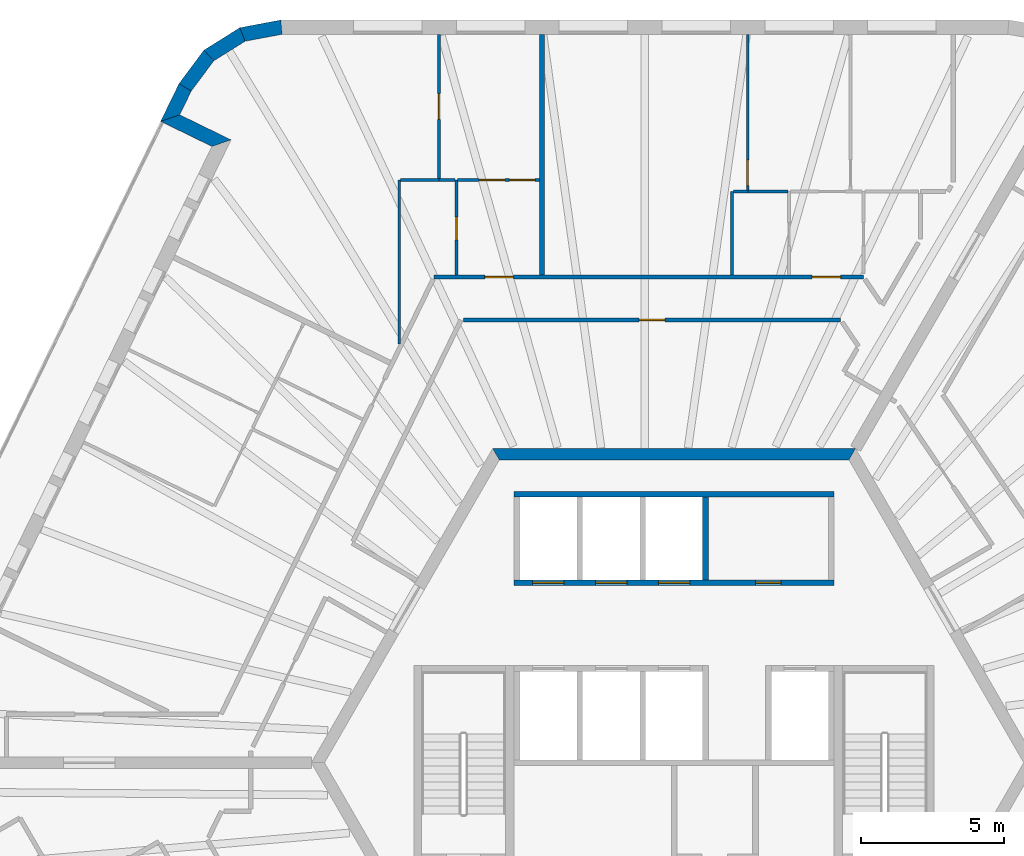
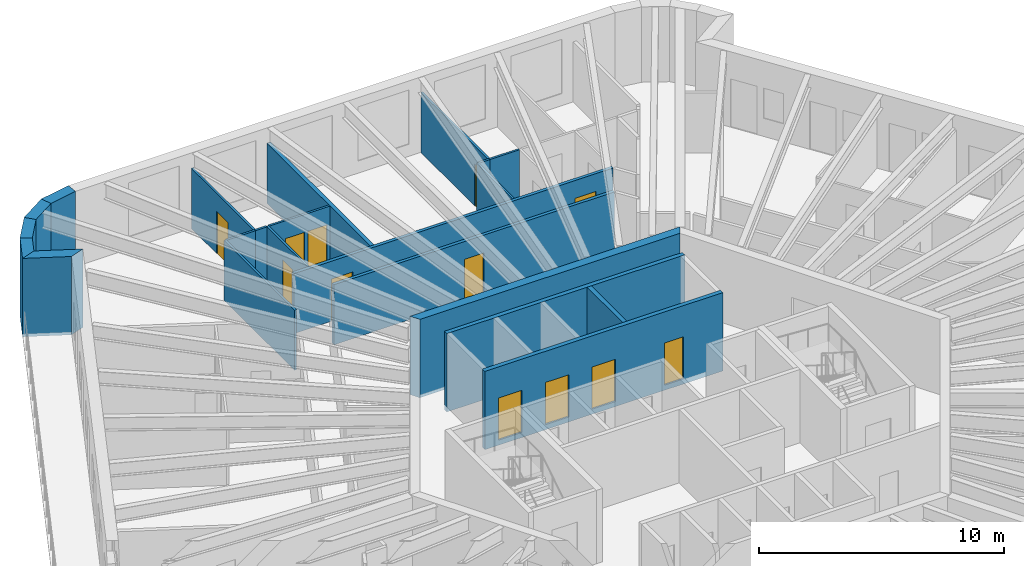
# One storey, part 9 of 12: 22 walls, 12 doors, 12 openings.
"""IFC4 building model written with IfcOpenShell, lengths in metres."""

from ifc_helpers import new_model, si_unit, direction, frame, frame_2d, origin, place, context, subcontext, project, spatial, polyline, rectangle, outline, extrude, material, layer, layer_set, type_object, element, fill, save


model = new_model("IFC4")

# Units and contexts
model_context = context("Model", 3, precision=1e-05, world=origin(), true_north=direction((0.0, 1.0)))
body_context = subcontext(model_context, "Body", "Model", "MODEL_VIEW")
ifc_project = project(units=[si_unit("LENGTHUNIT", "METRE"), si_unit("AREAUNIT", "SQUARE_METRE"), si_unit("VOLUMEUNIT", "CUBIC_METRE"), si_unit("PLANEANGLEUNIT", "RADIAN"), si_unit("MASSUNIT", "GRAM", prefix="KILO")], contexts=[model_context])

# Site, building, storey
site_placement = place(None, origin())
site = spatial("IfcSite", under=ifc_project, at=site_placement, CompositionType="ELEMENT")
building_placement = place(site_placement, origin())
building = spatial("IfcBuilding", under=site, at=building_placement, Name="Tarnside Tower", CompositionType="ELEMENT")
storey_placement = place(building_placement, frame((0.0, 0.0, 275.699951171875)))
storey = spatial("IfcBuildingStorey", under=building, at=storey_placement, Name="L66", CompositionType="ELEMENT", Elevation=275.699951171875)

# Walls
ifc_material_1 = material(Name="Gypsum board partition on steel studs", Category="steel")
ifc_layer_1 = layer(ifc_material_1, 0.10009765625)
ifc_layer_set_1 = layer_set([ifc_layer_1], Name="Bathroom wall 100")
wall_type_1 = type_object("IfcWallType", Name="Bathroom wall 100", PredefinedType="PARTITIONING", material=ifc_layer_set_1)
wall_1_placement = place(storey_placement, frame((2.026611328125, 17.074951171875, 0.0), z_axis=(0.0, 0.0, 1.0), x_axis=(0.0, 1.0, 0.0)))
element("IfcWall", 1, at=wall_1_placement, inside=storey, type_object=wall_type_1, Name="Bathroom wall 21086", PredefinedType="PARTITIONING", context=body_context, shape_type="SweptSolid", body=[
    extrude(rectangle(XDim=2.925048828125, YDim=0.10009765625, at=frame_2d((1.46240234375, 0.0))), origin(), (0.0, 0.0, 1.0), 2.98779296875),
])
wall_2_placement = place(storey_placement, frame((2.07666015625, 20.0, 0.0), z_axis=(0.0, 0.0, 1.0), x_axis=(1.0, 0.0, 0.0)))
element("IfcWall", 2, at=wall_2_placement, inside=storey, type_object=wall_type_1, Name="Bathroom wall 21087", PredefinedType="PARTITIONING", context=body_context, shape_type="SweptSolid", body=[
    extrude(rectangle(XDim=0.50048828125, YDim=0.10009765625, at=frame_2d((0.250244140625, 0.0))), origin(), (0.0, 0.0, 1.0), 2.98779296875),
])
wall_3_placement = place(storey_placement, frame((3.978515625, 20.0, 0.0), z_axis=(0.0, 0.0, 1.0), x_axis=(-1.0, 0.0, 0.0)))
element("IfcWall", 3, at=wall_3_placement, inside=storey, type_object=wall_type_1, Name="Bathroom wall 21095", PredefinedType="PARTITIONING", context=body_context, shape_type="SweptSolid", body=[
    extrude(rectangle(XDim=1.4033203125, YDim=0.10009765625, at=frame_2d((0.70166015625, 0.0))), origin(), (0.0, 0.0, 1.0), 2.98779296875),
])
wall_4_placement = place(storey_placement, frame((-9.624755859375, 14.655029296875, 0.0), z_axis=(0.0, 0.0, 1.0), x_axis=(0.0, 1.0, 0.0)))
element("IfcWall", 4, at=wall_4_placement, inside=storey, type_object=wall_type_1, Name="Bathroom wall 21098", PredefinedType="PARTITIONING", context=body_context, shape_type="SweptSolid", body=[
    extrude(rectangle(XDim=5.744873046875, YDim=0.10009765625, at=frame_2d((2.87255859375, 0.0))), origin(), (0.0, 0.0, 1.0), 2.98779296875),
])
wall_5_placement = place(storey_placement, frame((-9.57470703125, 20.39990234375, 0.0), z_axis=(0.0, 0.0, 1.0), x_axis=(1.0, 0.0, 0.0)))
element("IfcWall", 5, at=wall_5_placement, inside=storey, type_object=wall_type_1, Name="Bathroom wall 21099", PredefinedType="PARTITIONING", context=body_context, shape_type="SweptSolid", body=[
    extrude(rectangle(XDim=1.351806640625, YDim=0.10009765625, at=frame_2d((0.67578125, 0.0))), origin(), (0.0, 0.0, 1.0), 2.98779296875),
])

# Wall, opening, door
wall_6_placement = place(storey_placement, frame((-7.624755859375, 20.39990234375, 0.0), z_axis=(0.0, 0.0, 1.0), x_axis=(0.0, -1.0, 0.0)))
wall_6 = element("IfcWall", 6, at=wall_6_placement, inside=storey, type_object=wall_type_1, Name="Bathroom wall 21103", PredefinedType="PARTITIONING", context=body_context, shape_type="SweptSolid", body=[
    extrude(rectangle(XDim=3.324951171875, YDim=0.10009765625, at=frame_2d((1.66259765625, 0.0))), origin(), (0.0, 0.0, 1.0), 2.98779296875),
])
opening_1_placement = place(wall_6_placement, frame((1.300048828125, 0.0, 0.0)))
opening_1 = element("IfcOpeningElement", 7, at=opening_1_placement, cuts=wall_6, Name="Opening D-B1", PredefinedType="OPENING", context=body_context, shape_type="SweptSolid", body=[
    extrude(rectangle(XDim=0.800048828125, YDim=2.10009765625, at=frame_2d((0.39990234375, 1.050048828125))), frame((0.0, 0.06005859375, 0.0), z_axis=(0.0, -1.0, 0.0), x_axis=(1.0, 0.0, 0.0)), (0.0, 0.0, 1.0), 0.1201171875),
])
ifc_material_2 = material(Name="Timber door leaf", Category="wood")
door_type_1 = type_object("IfcDoorType", Name="Bathroom door 800", OperationType="NOTDEFINED", PredefinedType="DOOR", material=ifc_material_2)
door_1_placement = place(opening_1_placement, origin())
door_1 = element("IfcDoor", 8, at=door_1_placement, inside=storey, type_object=door_type_1, Name="Bathroom door 21013", OperationType="SINGLE_SWING_LEFT", OverallHeight=2.10009765625, OverallWidth=0.800048828125, PredefinedType="DOOR", context=body_context, shape_type="SweptSolid", body=[
    extrude(rectangle(XDim=0.800048828125, YDim=2.10009765625, at=frame_2d((0.39990234375, 1.050048828125))), frame((0.0, 0.02490234375, 0.0), z_axis=(0.0, -1.0, 0.0), x_axis=(1.0, 0.0, 0.0)), (0.0, 0.0, 1.0), 0.050048828125),
])
fill(opening_1, door_1)

# Walls
wall_7_placement = place(storey_placement, frame((-7.6728515625, 20.39990234375, 0.0), z_axis=(0.0, 0.0, 1.0), x_axis=(-1.0, 0.0, 0.0)))
element("IfcWall", 9, at=wall_7_placement, inside=storey, type_object=wall_type_1, Name="Bathroom wall 21105", PredefinedType="PARTITIONING", context=body_context, shape_type="SweptSolid", body=[
    extrude(rectangle(XDim=0.552001953125, YDim=0.10009765625, at=frame_2d((0.27587890625, 0.0))), origin(), (0.0, 0.0, 1.0), 2.98779296875),
])
ifc_material_3 = material(Name="Concrete C60/75", Category="concrete")
ifc_layer_2 = layer(ifc_material_3, 0.39990234375)
ifc_layer_set_2 = layer_set([ifc_layer_2], Name="Core wall Z3 400 C60/75")
wall_type_2 = type_object("IfcWallType", Name="Core wall Z3 400 C60/75", PredefinedType="SHEAR", material=ifc_layer_set_2)
wall_8_placement = place(storey_placement, frame((6.2353515625, 10.800048828125, -0.14990234375), z_axis=(0.0, 0.0, 1.0), x_axis=(-1.0, 0.0, 0.0)))
element("IfcWall", 10, at=wall_8_placement, inside=storey, type_object=wall_type_2, Name="L66 core wall face 1", PredefinedType="SHEAR", context=body_context, shape_type="SweptSolid", body=[
    extrude(outline(polyline([(-0.115478515625, -0.199951171875), (12.586181640625, -0.199951171875), (12.355224609375, 0.199951171875), (0.115478515625, 0.199951171875), (-0.115478515625, -0.199951171875)])), origin(), (0.0, 0.0, 1.0), 3.89990234375),
])

# Wall, openings, doors
ifc_layer_3 = layer(ifc_material_1, 0.14990234375)
ifc_layer_set_3 = layer_set([ifc_layer_3], Name="Corridor wall 150 EI 60")
wall_type_3 = type_object("IfcWallType", Name="Corridor wall 150 EI 60", PredefinedType="PARTITIONING", material=ifc_layer_set_3)
wall_9_placement = place(storey_placement, frame((6.626708984375, 17.0, 0.0), z_axis=(0.0, 0.0, 1.0), x_axis=(-1.0, 0.0, 0.0)))
wall_9 = element("IfcWall", 11, at=wall_9_placement, inside=storey, type_object=wall_type_3, Name="Corridor wall 21001", PredefinedType="PARTITIONING", context=body_context, shape_type="SweptSolid", body=[
    extrude(rectangle(XDim=15.024169921875, YDim=0.14990234375, at=frame_2d((7.51220703125, 0.0))), origin(), (0.0, 0.0, 1.0), 2.98779296875),
])
opening_2_placement = place(wall_9_placement, frame((0.800048828125, 0.0, 0.0)))
opening_2 = element("IfcOpeningElement", 12, at=opening_2_placement, cuts=wall_9, Name="Opening D-E1", PredefinedType="OPENING", context=body_context, shape_type="SweptSolid", body=[
    extrude(rectangle(XDim=1.0, YDim=2.10009765625, at=frame_2d((0.5, 1.050048828125))), frame((0.0, 0.0849609375, 0.0), z_axis=(0.0, -1.0, 0.0), x_axis=(1.0, 0.0, 0.0)), (0.0, 0.0, 1.0), 0.169921875),
])
opening_3_placement = place(wall_9_placement, frame((12.25146484375, 0.0, 0.0)))
opening_3 = element("IfcOpeningElement", 13, at=opening_3_placement, cuts=wall_9, Name="Opening D-E1", PredefinedType="OPENING", context=body_context, shape_type="SweptSolid", body=[
    extrude(rectangle(XDim=1.0, YDim=2.10009765625, at=frame_2d((0.5, 1.050048828125))), frame((0.0, 0.0849609375, 0.0), z_axis=(0.0, -1.0, 0.0), x_axis=(1.0, 0.0, 0.0)), (0.0, 0.0, 1.0), 0.169921875),
])
door_type_2 = type_object("IfcDoorType", Name="Unit entrance door 1000 FD30S", OperationType="NOTDEFINED", PredefinedType="DOOR", material=ifc_material_2)
door_2_placement = place(opening_2_placement, origin())
door_2 = element("IfcDoor", 14, at=door_2_placement, inside=storey, type_object=door_type_2, Name="Unit door 21001", OperationType="SINGLE_SWING_LEFT", OverallHeight=2.10009765625, OverallWidth=1.0, PredefinedType="DOOR", context=body_context, shape_type="SweptSolid", body=[
    extrude(rectangle(XDim=1.0, YDim=2.10009765625, at=frame_2d((0.5, 1.050048828125))), frame((0.0, 0.02490234375, 0.0), z_axis=(0.0, -1.0, 0.0), x_axis=(1.0, 0.0, 0.0)), (0.0, 0.0, 1.0), 0.050048828125),
])
fill(opening_2, door_2)
door_3_placement = place(opening_3_placement, origin())
door_3 = element("IfcDoor", 15, at=door_3_placement, inside=storey, type_object=door_type_2, Name="Unit door 21012", OperationType="SINGLE_SWING_LEFT", OverallHeight=2.10009765625, OverallWidth=1.0, PredefinedType="DOOR", context=body_context, shape_type="SweptSolid", body=[
    extrude(rectangle(XDim=1.0, YDim=2.10009765625, at=frame_2d((0.5, 1.050048828125))), frame((0.0, 0.02490234375, 0.0), z_axis=(0.0, -1.0, 0.0), x_axis=(1.0, 0.0, 0.0)), (0.0, 0.0, 1.0), 0.050048828125),
])
fill(opening_3, door_3)

# Wall, opening, door
wall_10_placement = place(storey_placement, frame((-7.376708984375, 15.5, 0.0), z_axis=(0.0, 0.0, 1.0), x_axis=(1.0, 0.0, 0.0)))
wall_10 = element("IfcWall", 16, at=wall_10_placement, inside=storey, type_object=wall_type_3, Name="Corridor wall 21022", PredefinedType="PARTITIONING", context=body_context, shape_type="SweptSolid", body=[
    extrude(rectangle(XDim=13.205810546875, YDim=0.14990234375, at=frame_2d((6.60302734375, 0.0))), origin(), (0.0, 0.0, 1.0), 2.98779296875),
])
opening_4_placement = place(wall_10_placement, frame((6.15283203125, 0.0, 0.0)))
opening_4 = element("IfcOpeningElement", 17, at=opening_4_placement, cuts=wall_10, Name="Opening D-S1", PredefinedType="OPENING", context=body_context, shape_type="SweptSolid", body=[
    extrude(rectangle(XDim=0.89990234375, YDim=2.10009765625, at=frame_2d((0.449951171875, 1.050048828125))), frame((0.0, 0.0849609375, 0.0), z_axis=(0.0, -1.0, 0.0), x_axis=(1.0, 0.0, 0.0)), (0.0, 0.0, 1.0), 0.169921875),
])
door_type_3 = type_object("IfcDoorType", Name="Service room door 900 FD30S", OperationType="NOTDEFINED", PredefinedType="DOOR", material=ifc_material_2)
door_4_placement = place(opening_4_placement, origin())
door_4 = element("IfcDoor", 18, at=door_4_placement, inside=storey, type_object=door_type_3, Name="Service door 21069", OperationType="SINGLE_SWING_LEFT", OverallHeight=2.10009765625, OverallWidth=0.89990234375, PredefinedType="DOOR", context=body_context, shape_type="SweptSolid", body=[
    extrude(rectangle(XDim=0.89990234375, YDim=2.10009765625, at=frame_2d((0.449951171875, 1.050048828125))), frame((0.0, 0.02490234375, 0.0), z_axis=(0.0, -1.0, 0.0), x_axis=(1.0, 0.0, 0.0)), (0.0, 0.0, 1.0), 0.050048828125),
])
fill(opening_4, door_4)

# Wall
ifc_layer_4 = layer(ifc_material_1, 0.179931640625)
ifc_layer_set_4 = layer_set([ifc_layer_4], Name="Demising wall 180 EI 60")
wall_type_4 = type_object("IfcWallType", Name="Demising wall 180 EI 60", PredefinedType="PARTITIONING", material=ifc_layer_set_4)
wall_11_placement = place(storey_placement, frame((-4.624755859375, 25.5, 0.0), z_axis=(0.0, 0.0, 1.0), x_axis=(0.0, -1.0, 0.0)))
element("IfcWall", 19, at=wall_11_placement, inside=storey, type_object=wall_type_4, Name="Demising wall 21089", PredefinedType="PARTITIONING", context=body_context, shape_type="SweptSolid", body=[
    extrude(rectangle(XDim=8.425048828125, YDim=0.179931640625, at=frame_2d((4.21240234375, 0.0))), origin(), (0.0, 0.0, 1.0), 2.98779296875),
])

# Wall, openings, doors
ifc_material_4 = material(Name="Concrete C40/50", Category="concrete")
ifc_layer_5 = layer(ifc_material_4, 0.199951171875)
ifc_layer_set_5 = layer_set([ifc_layer_5], Name="Lift shaft wall 200 C40/50")
wall_type_5 = type_object("IfcWallType", Name="Lift shaft wall 200 C40/50", PredefinedType="SHEAR", material=ifc_layer_set_5)
wall_12_placement = place(storey_placement, frame((-5.60009765625, 6.300048828125, -0.25), z_axis=(0.0, 0.0, 1.0), x_axis=(1.0, 0.0, 0.0)))
wall_12 = element("IfcWall", 20, at=wall_12_placement, inside=storey, type_object=wall_type_5, Name="L66 lift shaft front wall R1", PredefinedType="SHEAR", context=body_context, shape_type="SweptSolid", body=[
    extrude(rectangle(XDim=11.2001953125, YDim=0.199951171875, at=frame_2d((5.60009765625, 0.0))), origin(), (0.0, 0.0, 1.0), 3.900146484375),
])
opening_5_placement = place(wall_12_placement, frame((8.449951171875, 0.0, 0.25)))
opening_5 = element("IfcOpeningElement", 21, at=opening_5_placement, cuts=wall_12, Name="Opening CD-room", PredefinedType="OPENING", context=body_context, shape_type="SweptSolid", body=[
    extrude(rectangle(XDim=0.89990234375, YDim=2.10009765625, at=frame_2d((0.449951171875, 1.050048828125))), frame((0.0, 0.10986328125, 0.0), z_axis=(0.0, -1.0, 0.0), x_axis=(1.0, 0.0, 0.0)), (0.0, 0.0, 1.0), 0.219970703125),
])
opening_6_placement = place(wall_12_placement, frame((0.64990234375, 0.0, 0.25)))
opening_6 = element("IfcOpeningElement", 22, at=opening_6_placement, cuts=wall_12, Name="Opening LD", PredefinedType="OPENING", context=body_context, shape_type="SweptSolid", body=[
    extrude(rectangle(XDim=1.10009765625, YDim=2.10009765625, at=frame_2d((0.550048828125, 1.050048828125))), frame((0.0, 0.10986328125, 0.0), z_axis=(0.0, -1.0, 0.0), x_axis=(1.0, 0.0, 0.0)), (0.0, 0.0, 1.0), 0.219970703125),
])
opening_7_placement = place(wall_12_placement, frame((2.85009765625, 0.0, 0.25)))
opening_7 = element("IfcOpeningElement", 23, at=opening_7_placement, cuts=wall_12, Name="Opening LD", PredefinedType="OPENING", context=body_context, shape_type="SweptSolid", body=[
    extrude(rectangle(XDim=1.10009765625, YDim=2.10009765625, at=frame_2d((0.550048828125, 1.050048828125))), frame((0.0, 0.10986328125, 0.0), z_axis=(0.0, -1.0, 0.0), x_axis=(1.0, 0.0, 0.0)), (0.0, 0.0, 1.0), 0.219970703125),
])
opening_8_placement = place(wall_12_placement, frame((5.050048828125, 0.0, 0.25)))
opening_8 = element("IfcOpeningElement", 24, at=opening_8_placement, cuts=wall_12, Name="Opening LD", PredefinedType="OPENING", context=body_context, shape_type="SweptSolid", body=[
    extrude(rectangle(XDim=1.10009765625, YDim=2.10009765625, at=frame_2d((0.550048828125, 1.050048828125))), frame((0.0, 0.10986328125, 0.0), z_axis=(0.0, -1.0, 0.0), x_axis=(1.0, 0.0, 0.0)), (0.0, 0.0, 1.0), 0.219970703125),
])
ifc_material_5 = material(Name="Stainless steel", Category="steel")
door_type_4 = type_object("IfcDoorType", Name="Lift landing door 1100x2100", OperationType="NOTDEFINED", PredefinedType="DOOR", material=ifc_material_5)
door_5_placement = place(opening_6_placement, origin())
door_5 = element("IfcDoor", 25, at=door_5_placement, inside=storey, type_object=door_type_4, Name="High-rise lift 1 landing door L66", OperationType="SLIDING_TO_LEFT", OverallHeight=2.10009765625, OverallWidth=1.10009765625, PredefinedType="DOOR", context=body_context, shape_type="SweptSolid", body=[
    extrude(rectangle(XDim=1.10009765625, YDim=2.10009765625, at=frame_2d((0.550048828125, 1.050048828125))), frame((0.0, 0.02490234375, 0.0), z_axis=(0.0, -1.0, 0.0), x_axis=(1.0, 0.0, 0.0)), (0.0, 0.0, 1.0), 0.050048828125),
])
fill(opening_6, door_5)
door_6_placement = place(opening_7_placement, origin())
door_6 = element("IfcDoor", 26, at=door_6_placement, inside=storey, type_object=door_type_4, Name="High-rise lift 2 landing door L66", OperationType="SLIDING_TO_LEFT", OverallHeight=2.10009765625, OverallWidth=1.10009765625, PredefinedType="DOOR", context=body_context, shape_type="SweptSolid", body=[
    extrude(rectangle(XDim=1.10009765625, YDim=2.10009765625, at=frame_2d((0.550048828125, 1.050048828125))), frame((0.0, 0.02490234375, 0.0), z_axis=(0.0, -1.0, 0.0), x_axis=(1.0, 0.0, 0.0)), (0.0, 0.0, 1.0), 0.050048828125),
])
fill(opening_7, door_6)
door_7_placement = place(opening_8_placement, origin())
door_7 = element("IfcDoor", 27, at=door_7_placement, inside=storey, type_object=door_type_4, Name="High-rise lift 3 landing door L66", OperationType="SLIDING_TO_LEFT", OverallHeight=2.10009765625, OverallWidth=1.10009765625, PredefinedType="DOOR", context=body_context, shape_type="SweptSolid", body=[
    extrude(rectangle(XDim=1.10009765625, YDim=2.10009765625, at=frame_2d((0.550048828125, 1.050048828125))), frame((0.0, 0.02490234375, 0.0), z_axis=(0.0, -1.0, 0.0), x_axis=(1.0, 0.0, 0.0)), (0.0, 0.0, 1.0), 0.050048828125),
])
fill(opening_8, door_7)
ifc_material_6 = material(Name="Steel fire door", Category="steel")
door_type_5 = type_object("IfcDoorType", Name="Room door FD60 900x2100", OperationType="NOTDEFINED", PredefinedType="DOOR", material=ifc_material_6)
door_8_placement = place(opening_5_placement, origin())
door_8 = element("IfcDoor", 28, at=door_8_placement, inside=storey, type_object=door_type_5, Name="L66 core room door FC1", OperationType="SINGLE_SWING_LEFT", OverallHeight=2.10009765625, OverallWidth=0.89990234375, PredefinedType="DOOR", context=body_context, shape_type="SweptSolid", body=[
    extrude(rectangle(XDim=0.89990234375, YDim=2.10009765625, at=frame_2d((0.449951171875, 1.050048828125))), frame((0.0, 0.02490234375, 0.0), z_axis=(0.0, -1.0, 0.0), x_axis=(1.0, 0.0, 0.0)), (0.0, 0.0, 1.0), 0.050048828125),
])
fill(opening_5, door_8)

# Walls
wall_13_placement = place(storey_placement, frame((-5.60009765625, 9.39990234375, -0.25), z_axis=(0.0, 0.0, 1.0), x_axis=(1.0, 0.0, 0.0)))
element("IfcWall", 29, at=wall_13_placement, inside=storey, type_object=wall_type_5, Name="L66 lift shaft back wall R1", PredefinedType="SHEAR", context=body_context, shape_type="SweptSolid", body=[
    extrude(rectangle(XDim=11.2001953125, YDim=0.199951171875, at=frame_2d((5.60009765625, 0.0))), origin(), (0.0, 0.0, 1.0), 3.900146484375),
])
wall_14_placement = place(storey_placement, frame((1.10009765625, 6.39990234375, -0.25), z_axis=(0.0, 0.0, 1.0), x_axis=(0.0, 1.0, 0.0)))
element("IfcWall", 30, at=wall_14_placement, inside=storey, type_object=wall_type_5, Name="L66 lift shaft partition R14", PredefinedType="SHEAR", context=body_context, shape_type="SweptSolid", body=[
    extrude(rectangle(XDim=2.900146484375, YDim=0.199951171875, at=frame_2d((1.4501953125, 0.0))), origin(), (0.0, 0.0, 1.0), 3.900146484375),
])
ifc_material_7 = material(Name="Dark zinc cladding")
ifc_layer_6 = layer(ifc_material_7, 0.10205078125)
ifc_material_8 = material(Name="Concrete C60/75 precast", Category="concrete")
ifc_layer_7 = layer(ifc_material_8, 0.298095703125)
ifc_material_9 = material(Name="Mineral wool insulation")
ifc_layer_8 = layer(ifc_material_9, 0.10009765625)
ifc_layer_set_6 = layer_set([ifc_layer_6, ifc_layer_7, ifc_layer_8], Name="Loggia wall 500 zinc faced")
wall_type_6 = type_object("IfcWallType", Name="Loggia wall 500 zinc faced", PredefinedType="SOLIDWALL", material=ifc_layer_set_6)
wall_15_placement = place(storey_placement, frame((-17.11767578125, 23.643798828125, -0.14990234375), z_axis=(0.0, 0.0, 1.0), x_axis=(-0.438319390103, -0.898819287877, 0.0)))
element("IfcWall", 31, at=wall_15_placement, inside=storey, type_object=wall_type_6, Name="Tube wall L66 F2 stub 04", PredefinedType="SOLIDWALL", context=body_context, shape_type="SweptSolid", body=[
    extrude(outline(polyline([(-0.0234375, -0.25), (1.44970703125, -0.25), (0.94970703125, 0.25), (0.0234375, 0.25), (-0.0234375, -0.25)])), origin(), (0.0, 0.0, 1.0), 3.89990234375),
])
wall_16_placement = place(storey_placement, frame((-17.6435546875, 22.5654296875, -0.14990234375), z_axis=(0.0, 0.0, 1.0), x_axis=(0.898754367686, -0.43845249066, 0.0)))
element("IfcWall", 32, at=wall_16_placement, inside=storey, type_object=wall_type_6, Name="Tube wall L66 F2 return 05", PredefinedType="SOLIDWALL", context=body_context, shape_type="SweptSolid", body=[
    extrude(outline(polyline([(-0.25, -0.25), (1.75, -0.25), (2.25, 0.25), (0.25, 0.25), (-0.25, -0.25)])), origin(), (0.0, 0.0, 1.0), 3.89990234375),
])

# Wall, opening, door
ifc_layer_9 = layer(ifc_material_1, 0.10009765625)
ifc_layer_set_7 = layer_set([ifc_layer_9], Name="Partition 100")
wall_type_7 = type_object("IfcWallType", Name="Partition 100", PredefinedType="PARTITIONING", material=ifc_layer_set_7)
wall_17_placement = place(storey_placement, frame((2.5751953125, 20.050048828125, 0.0), z_axis=(0.0, 0.0, 1.0), x_axis=(0.0, 1.0, 0.0)))
wall_17 = element("IfcWall", 33, at=wall_17_placement, inside=storey, type_object=wall_type_7, Name="Partition wall 21088", PredefinedType="PARTITIONING", context=body_context, shape_type="SweptSolid", body=[
    extrude(rectangle(XDim=5.449951171875, YDim=0.10009765625, at=frame_2d((2.72509765625, 0.0))), origin(), (0.0, 0.0, 1.0), 2.98779296875),
])
opening_9_placement = place(wall_17_placement, frame((0.14990234375, 0.0, 0.0)))
opening_9 = element("IfcOpeningElement", 34, at=opening_9_placement, cuts=wall_17, Name="Opening D-I1", PredefinedType="OPENING", context=body_context, shape_type="SweptSolid", body=[
    extrude(rectangle(XDim=0.89990234375, YDim=2.10009765625, at=frame_2d((0.449951171875, 1.050048828125))), frame((0.0, 0.06005859375, 0.0), z_axis=(0.0, -1.0, 0.0), x_axis=(1.0, 0.0, 0.0)), (0.0, 0.0, 1.0), 0.1201171875),
])
door_type_6 = type_object("IfcDoorType", Name="Internal door 900", OperationType="NOTDEFINED", PredefinedType="DOOR", material=ifc_material_2)
door_9_placement = place(opening_9_placement, origin())
door_9 = element("IfcDoor", 35, at=door_9_placement, inside=storey, type_object=door_type_6, Name="Internal door 21010", OperationType="SINGLE_SWING_RIGHT", OverallHeight=2.10009765625, OverallWidth=0.89990234375, PredefinedType="DOOR", context=body_context, shape_type="SweptSolid", body=[
    extrude(rectangle(XDim=0.89990234375, YDim=2.10009765625, at=frame_2d((0.449951171875, 1.050048828125))), frame((0.0, 0.02490234375, 0.0), z_axis=(0.0, -1.0, 0.0), x_axis=(1.0, 0.0, 0.0)), (0.0, 0.0, 1.0), 0.050048828125),
])
fill(opening_9, door_9)

wall_18_placement = place(storey_placement, frame((-8.224853515625, 20.449951171875, 0.0), z_axis=(0.0, 0.0, 1.0), x_axis=(0.0, 1.0, 0.0)))
wall_18 = element("IfcWall", 36, at=wall_18_placement, inside=storey, type_object=wall_type_7, Name="Partition wall 21100", PredefinedType="PARTITIONING", context=body_context, shape_type="SweptSolid", body=[
    extrude(rectangle(XDim=5.050048828125, YDim=0.10009765625, at=frame_2d((2.52490234375, 0.0))), origin(), (0.0, 0.0, 1.0), 2.98779296875),
])
opening_10_placement = place(wall_18_placement, frame((2.074951171875, 0.0, 0.0)))
opening_10 = element("IfcOpeningElement", 37, at=opening_10_placement, cuts=wall_18, Name="Opening D-I1", PredefinedType="OPENING", context=body_context, shape_type="SweptSolid", body=[
    extrude(rectangle(XDim=0.89990234375, YDim=2.10009765625, at=frame_2d((0.449951171875, 1.050048828125))), frame((0.0, 0.06005859375, 0.0), z_axis=(0.0, -1.0, 0.0), x_axis=(1.0, 0.0, 0.0)), (0.0, 0.0, 1.0), 0.1201171875),
])
door_10_placement = place(opening_10_placement, origin())
door_10 = element("IfcDoor", 38, at=door_10_placement, inside=storey, type_object=door_type_6, Name="Internal door 21068", OperationType="SINGLE_SWING_RIGHT", OverallHeight=2.10009765625, OverallWidth=0.89990234375, PredefinedType="DOOR", context=body_context, shape_type="SweptSolid", body=[
    extrude(rectangle(XDim=0.89990234375, YDim=2.10009765625, at=frame_2d((0.449951171875, 1.050048828125))), frame((0.0, 0.02490234375, 0.0), z_axis=(0.0, -1.0, 0.0), x_axis=(1.0, 0.0, 0.0)), (0.0, 0.0, 1.0), 0.050048828125),
])
fill(opening_10, door_10)

# Wall, openings, doors
wall_19_placement = place(storey_placement, frame((-4.71484375, 20.39990234375, 0.0), z_axis=(0.0, 0.0, 1.0), x_axis=(-1.0, 0.0, 0.0)))
wall_19 = element("IfcWall", 39, at=wall_19_placement, inside=storey, type_object=wall_type_7, Name="Partition wall 21104", PredefinedType="PARTITIONING", context=body_context, shape_type="SweptSolid", body=[
    extrude(rectangle(XDim=2.862060546875, YDim=0.10009765625, at=frame_2d((1.43115234375, 0.0))), origin(), (0.0, 0.0, 1.0), 2.98779296875),
])
opening_11_placement = place(wall_19_placement, frame((0.14990234375, 0.0, 0.0)))
opening_11 = element("IfcOpeningElement", 40, at=opening_11_placement, cuts=wall_19, Name="Opening D-I1", PredefinedType="OPENING", context=body_context, shape_type="SweptSolid", body=[
    extrude(rectangle(XDim=0.89990234375, YDim=2.10009765625, at=frame_2d((0.449951171875, 1.050048828125))), frame((0.0, 0.06005859375, 0.0), z_axis=(0.0, -1.0, 0.0), x_axis=(1.0, 0.0, 0.0)), (0.0, 0.0, 1.0), 0.1201171875),
])
opening_12_placement = place(wall_19_placement, frame((1.2099609375, 0.0, 0.0)))
opening_12 = element("IfcOpeningElement", 41, at=opening_12_placement, cuts=wall_19, Name="Opening D-I1", PredefinedType="OPENING", context=body_context, shape_type="SweptSolid", body=[
    extrude(rectangle(XDim=0.89990234375, YDim=2.10009765625, at=frame_2d((0.449951171875, 1.050048828125))), frame((0.0, 0.06005859375, 0.0), z_axis=(0.0, -1.0, 0.0), x_axis=(1.0, 0.0, 0.0)), (0.0, 0.0, 1.0), 0.1201171875),
])
door_11_placement = place(opening_11_placement, origin())
door_11 = element("IfcDoor", 42, at=door_11_placement, inside=storey, type_object=door_type_6, Name="Internal door 21015", OperationType="SINGLE_SWING_LEFT", OverallHeight=2.10009765625, OverallWidth=0.89990234375, PredefinedType="DOOR", context=body_context, shape_type="SweptSolid", body=[
    extrude(rectangle(XDim=0.89990234375, YDim=2.10009765625, at=frame_2d((0.449951171875, 1.050048828125))), frame((0.0, 0.02490234375, 0.0), z_axis=(0.0, -1.0, 0.0), x_axis=(1.0, 0.0, 0.0)), (0.0, 0.0, 1.0), 0.050048828125),
])
fill(opening_11, door_11)
door_12_placement = place(opening_12_placement, origin())
door_12 = element("IfcDoor", 43, at=door_12_placement, inside=storey, type_object=door_type_6, Name="Internal door 21016", OperationType="SINGLE_SWING_LEFT", OverallHeight=2.10009765625, OverallWidth=0.89990234375, PredefinedType="DOOR", context=body_context, shape_type="SweptSolid", body=[
    extrude(rectangle(XDim=0.89990234375, YDim=2.10009765625, at=frame_2d((0.449951171875, 1.050048828125))), frame((0.0, 0.02490234375, 0.0), z_axis=(0.0, -1.0, 0.0), x_axis=(1.0, 0.0, 0.0)), (0.0, 0.0, 1.0), 0.050048828125),
])
fill(opening_12, door_12)

# Walls
ifc_material_10 = material(Name="Facing brick", Category="masonry")
ifc_layer_10 = layer(ifc_material_10, 0.10205078125)
ifc_layer_11 = layer(ifc_material_8, 0.298095703125)
ifc_layer_12 = layer(ifc_material_9, 0.10009765625)
ifc_layer_set_8 = layer_set([ifc_layer_10, ifc_layer_11, ifc_layer_12], Name="Tube wall 500 brick faced")
wall_type_8 = type_object("IfcWallType", Name="Tube wall 500 brick faced", PredefinedType="SOLIDWALL", material=ifc_layer_set_8)
wall_20_placement = place(storey_placement, frame((-13.7470703125, 25.75, -0.14990234375), z_axis=(0.0, 0.0, 1.0), x_axis=(-0.982736538448, -0.185010529429, 0.0)))
element("IfcWall", 44, at=wall_20_placement, inside=storey, type_object=wall_type_8, Name="Tube wall L66 F1 chord 01", PredefinedType="SOLIDWALL", context=body_context, shape_type="SweptSolid", body=[
    extrude(outline(polyline([(-0.0234375, -0.25), (1.435302734375, -0.25), (1.341064453125, 0.25), (0.0234375, 0.25), (-0.0234375, -0.25)])), origin(), (0.0, 0.0, 1.0), 3.89990234375),
])
wall_21_placement = place(storey_placement, frame((-15.111328125, 25.4931640625, -0.14990234375), z_axis=(0.0, 0.0, 1.0), x_axis=(-0.847978544293, -0.530030554231, 0.0)))
element("IfcWall", 45, at=wall_21_placement, inside=storey, type_object=wall_type_8, Name="Tube wall L66 F1 chord 02", PredefinedType="SOLIDWALL", context=body_context, shape_type="SweptSolid", body=[
    extrude(outline(polyline([(-0.047119140625, -0.25), (1.435302734375, -0.25), (1.341064453125, 0.25), (0.047119140625, 0.25), (-0.047119140625, -0.25)])), origin(), (0.0, 0.0, 1.0), 3.89990234375),
])
wall_22_placement = place(storey_placement, frame((-16.28857421875, 24.75732421875, -0.14990234375), z_axis=(0.0, 0.0, 1.0), x_axis=(-0.597210785942, -0.802084332945, 0.0)))
element("IfcWall", 46, at=wall_22_placement, inside=storey, type_object=wall_type_8, Name="Tube wall L66 F1 chord 03", PredefinedType="SOLIDWALL", context=body_context, shape_type="SweptSolid", body=[
    extrude(outline(polyline([(-0.047119140625, -0.25), (1.41162109375, -0.25), (1.36474609375, 0.25), (0.047119140625, 0.25), (-0.047119140625, -0.25)])), origin(), (0.0, 0.0, 1.0), 3.89990234375),
])

save(model, "model.ifc")
